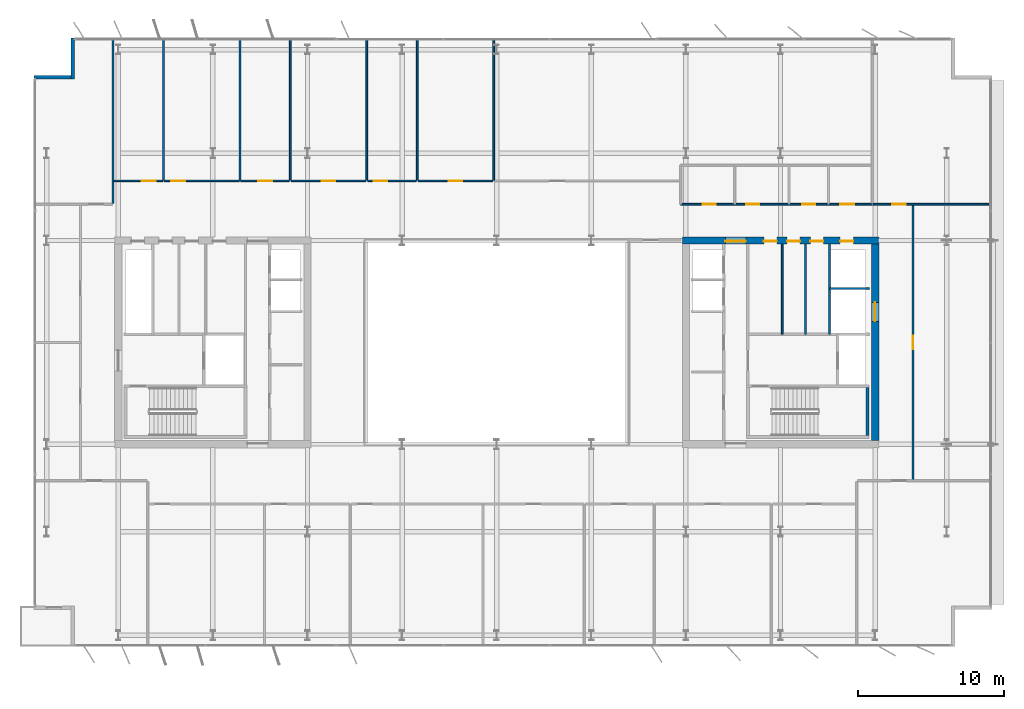
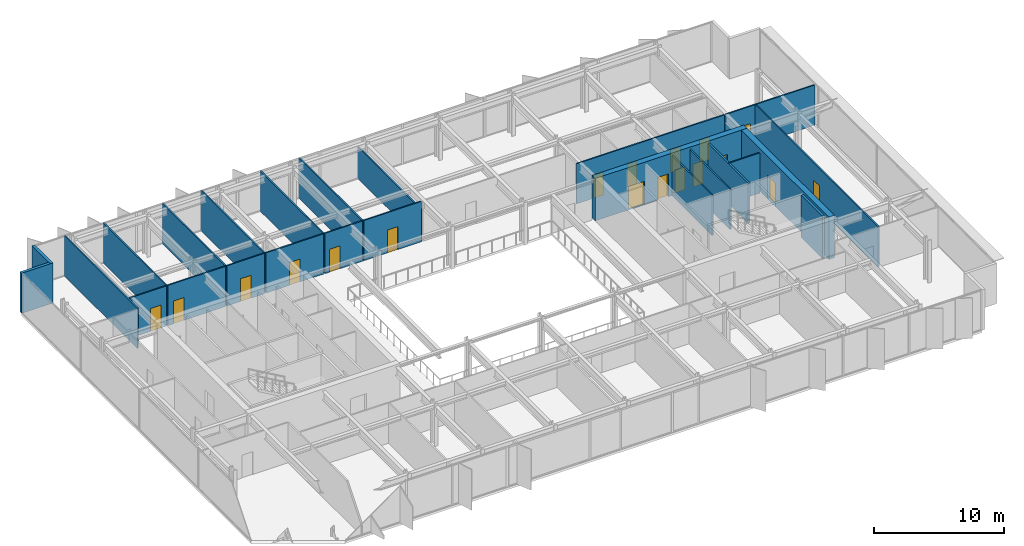
# One storey, part 15 of 20: 25 walls, 18 doors, 18 openings.
"""IFC4 building model written with IfcOpenShell, lengths in metres."""

from ifc_helpers import new_model, si_unit, direction, frame, frame_2d, origin, place, context, subcontext, project, spatial, rectangle, extrude, material, layer, layer_set, type_object, element, fill, save


model = new_model("IFC4")

# Units and contexts
model_context = context("Model", 3, precision=1e-05, world=origin(), true_north=direction((0.0, 1.0)))
body_context = subcontext(model_context, "Body", "Model", "MODEL_VIEW")
ifc_project = project(units=[si_unit("LENGTHUNIT", "METRE"), si_unit("AREAUNIT", "SQUARE_METRE"), si_unit("VOLUMEUNIT", "CUBIC_METRE"), si_unit("PLANEANGLEUNIT", "RADIAN"), si_unit("MASSUNIT", "GRAM", prefix="KILO")], contexts=[model_context])

# Site, building, storey
site_placement = place(None, origin())
site = spatial("IfcSite", under=ifc_project, at=site_placement, CompositionType="ELEMENT")
building_placement = place(site_placement, origin())
building = spatial("IfcBuilding", under=site, at=building_placement, Name="Putna Gate Headquarters", CompositionType="ELEMENT")
storey_placement = place(building_placement, frame((0.0, 0.0, 286.39990234375)))
storey = spatial("IfcBuildingStorey", under=building, at=storey_placement, Name="L72", CompositionType="ELEMENT", Elevation=286.39990234375)

# Wall, openings, doors
ifc_material_1 = material(Name="Concrete C50/60", Category="concrete")
ifc_layer_1 = layer(ifc_material_1, 0.5)
ifc_layer_set_1 = layer_set([ifc_layer_1], Name="Concrete C50/60")
wall_type_1 = type_object("IfcWallType", Name="WALL-CORE-500", PredefinedType="SHEAR", material=ifc_layer_set_1)
wall_1_placement = place(storey_placement, frame((51.75, 33.0, 0.0), z_axis=(0.0, 0.0, 1.0), x_axis=(1.0, 0.0, 0.0)))
wall_1 = element("IfcWall", 1, at=wall_1_placement, inside=storey, type_object=wall_type_1, Name="L72 EC Split Core Shear Wall N", PredefinedType="SHEAR", context=body_context, shape_type="SweptSolid", body=[
    extrude(rectangle(XDim=13.5, YDim=0.5, at=frame_2d((6.75, 0.0))), origin(), (0.0, 0.0, 1.0), 4.0),
])
opening_1_placement = place(wall_1_placement, frame((2.969970703125, 0.0, 0.0)))
opening_1 = element("IfcOpeningElement", 2, at=opening_1_placement, cuts=wall_1, Name="Opening FDD-140", PredefinedType="OPENING", context=body_context, shape_type="SweptSolid", body=[
    extrude(rectangle(XDim=1.39990234375, YDim=2.199951171875, at=frame_2d((0.699951171875, 1.10009765625))), frame((0.0, 0.260009765625, 0.0), z_axis=(0.0, -1.0, 0.0), x_axis=(1.0, 0.0, 0.0)), (0.0, 0.0, 1.0), 0.52001953125),
])
opening_2_placement = place(wall_1_placement, frame((10.85009765625, 0.0, 0.0)))
opening_2 = element("IfcOpeningElement", 3, at=opening_2_placement, cuts=wall_1, Name="Opening RD-90", PredefinedType="OPENING", context=body_context, shape_type="SweptSolid", body=[
    extrude(rectangle(XDim=0.89990234375, YDim=2.14990234375, at=frame_2d((0.449951171875, 1.074951171875))), frame((0.0, 0.260009765625, 0.0), z_axis=(0.0, -1.0, 0.0), x_axis=(1.0, 0.0, 0.0)), (0.0, 0.0, 1.0), 0.52001953125),
])
opening_3_placement = place(wall_1_placement, frame((5.60009765625, 0.0, 0.0)))
opening_3 = element("IfcOpeningElement", 4, at=opening_3_placement, cuts=wall_1, Name="Opening IDS-90", PredefinedType="OPENING", context=body_context, shape_type="SweptSolid", body=[
    extrude(rectangle(XDim=0.89990234375, YDim=2.14990234375, at=frame_2d((0.449951171875, 1.074951171875))), frame((0.0, 0.260009765625, 0.0), z_axis=(0.0, -1.0, 0.0), x_axis=(1.0, 0.0, 0.0)), (0.0, 0.0, 1.0), 0.52001953125),
])
opening_4_placement = place(wall_1_placement, frame((7.199951171875, 0.0, 0.0)))
opening_4 = element("IfcOpeningElement", 5, at=opening_4_placement, cuts=wall_1, Name="Opening IDS-90", PredefinedType="OPENING", context=body_context, shape_type="SweptSolid", body=[
    extrude(rectangle(XDim=0.89990234375, YDim=2.14990234375, at=frame_2d((0.449951171875, 1.074951171875))), frame((0.0, 0.260009765625, 0.0), z_axis=(0.0, -1.0, 0.0), x_axis=(1.0, 0.0, 0.0)), (0.0, 0.0, 1.0), 0.52001953125),
])
opening_5_placement = place(wall_1_placement, frame((8.800048828125, 0.0, 0.0)))
opening_5 = element("IfcOpeningElement", 6, at=opening_5_placement, cuts=wall_1, Name="Opening IDS-90", PredefinedType="OPENING", context=body_context, shape_type="SweptSolid", body=[
    extrude(rectangle(XDim=0.89990234375, YDim=2.14990234375, at=frame_2d((0.449951171875, 1.074951171875))), frame((0.0, 0.260009765625, 0.0), z_axis=(0.0, -1.0, 0.0), x_axis=(1.0, 0.0, 0.0)), (0.0, 0.0, 1.0), 0.52001953125),
])
ifc_material_2 = material(Name="Double steel fire door", Category="steel")
door_type_1 = type_object("IfcDoorType", Name="DOOR-FIRE-DBL-1400", OperationType="DOUBLE_DOOR_SINGLE_SWING", PredefinedType="DOOR", material=ifc_material_2)
door_1_placement = place(opening_1_placement, origin())
door_1 = element("IfcDoor", 7, at=door_1_placement, inside=storey, type_object=door_type_1, Name="L72 East Lift Lobby North Door", OperationType="DOUBLE_DOOR_SINGLE_SWING", OverallHeight=2.199951171875, OverallWidth=1.39990234375, PredefinedType="DOOR", context=body_context, shape_type="SweptSolid", body=[
    extrude(rectangle(XDim=1.39990234375, YDim=2.199951171875, at=frame_2d((0.699951171875, 1.10009765625))), frame((0.0, -0.02490234375, 0.0), z_axis=(0.0, -1.0, 0.0), x_axis=(1.0, 0.0, 0.0)), (0.0, 0.0, 1.0), 0.050048828125),
])
fill(opening_1, door_1)
ifc_material_3 = material(Name="Fire-rated utility door")
door_type_2 = type_object("IfcDoorType", Name="DOOR-INT-900", OperationType="NOTDEFINED", PredefinedType="DOOR", material=ifc_material_3)
door_2_placement = place(opening_3_placement, origin())
door_2 = element("IfcDoor", 8, at=door_2_placement, inside=storey, type_object=door_type_2, Name="L72 East Cleaner Store Door", OperationType="SINGLE_SWING_RIGHT", OverallHeight=2.14990234375, OverallWidth=0.89990234375, PredefinedType="DOOR", context=body_context, shape_type="SweptSolid", body=[
    extrude(rectangle(XDim=0.89990234375, YDim=2.14990234375, at=frame_2d((0.449951171875, 1.074951171875))), frame((0.0, -0.02490234375, 0.0), z_axis=(0.0, -1.0, 0.0), x_axis=(1.0, 0.0, 0.0)), (0.0, 0.0, 1.0), 0.050048828125),
])
fill(opening_3, door_2)
door_3_placement = place(opening_4_placement, origin())
door_3 = element("IfcDoor", 9, at=door_3_placement, inside=storey, type_object=door_type_2, Name="L72 BMS Outstation Door", OperationType="SINGLE_SWING_LEFT", OverallHeight=2.14990234375, OverallWidth=0.89990234375, PredefinedType="DOOR", context=body_context, shape_type="SweptSolid", body=[
    extrude(rectangle(XDim=0.89990234375, YDim=2.14990234375, at=frame_2d((0.449951171875, 1.074951171875))), frame((0.0, -0.02490234375, 0.0), z_axis=(0.0, -1.0, 0.0), x_axis=(1.0, 0.0, 0.0)), (0.0, 0.0, 1.0), 0.050048828125),
])
fill(opening_4, door_3)
door_4_placement = place(opening_5_placement, origin())
door_4 = element("IfcDoor", 10, at=door_4_placement, inside=storey, type_object=door_type_2, Name="L72 Facilities Equipment Store Door", OperationType="SINGLE_SWING_RIGHT", OverallHeight=2.14990234375, OverallWidth=0.89990234375, PredefinedType="DOOR", context=body_context, shape_type="SweptSolid", body=[
    extrude(rectangle(XDim=0.89990234375, YDim=2.14990234375, at=frame_2d((0.449951171875, 1.074951171875))), frame((0.0, -0.02490234375, 0.0), z_axis=(0.0, -1.0, 0.0), x_axis=(1.0, 0.0, 0.0)), (0.0, 0.0, 1.0), 0.050048828125),
])
fill(opening_5, door_4)
ifc_material_4 = material(Name="Steel riser access fire door", Category="steel")
door_type_3 = type_object("IfcDoorType", Name="DOOR-RISER-900", OperationType="NOTDEFINED", PredefinedType="DOOR", material=ifc_material_4)
door_5_placement = place(opening_2_placement, origin())
door_5 = element("IfcDoor", 11, at=door_5_placement, inside=storey, type_object=door_type_3, Name="L72 East Riser Access Door", OperationType="SINGLE_SWING_LEFT", OverallHeight=2.14990234375, OverallWidth=0.89990234375, PredefinedType="DOOR", context=body_context, shape_type="SweptSolid", body=[
    extrude(rectangle(XDim=0.89990234375, YDim=2.14990234375, at=frame_2d((0.449951171875, 1.074951171875))), frame((0.0, -0.02490234375, 0.0), z_axis=(0.0, -1.0, 0.0), x_axis=(1.0, 0.0, 0.0)), (0.0, 0.0, 1.0), 0.050048828125),
])
fill(opening_2, door_5)

# Wall, opening, door
wall_2_placement = place(storey_placement, frame((65.0, 19.25, 0.0), z_axis=(0.0, 0.0, 1.0), x_axis=(0.0, 1.0, 0.0)))
wall_2 = element("IfcWall", 12, at=wall_2_placement, inside=storey, type_object=wall_type_1, Name="L72 EC Split Core Shear Wall E", PredefinedType="SHEAR", context=body_context, shape_type="SweptSolid", body=[
    extrude(rectangle(XDim=13.5, YDim=0.5, at=frame_2d((6.75, 0.0))), origin(), (0.0, 0.0, 1.0), 4.0),
])
opening_6_placement = place(wall_2_placement, frame((8.199951171875, 0.0, 0.0)))
opening_6 = element("IfcOpeningElement", 13, at=opening_6_placement, cuts=wall_2, Name="Opening LD-2", PredefinedType="OPENING", context=body_context, shape_type="SweptSolid", body=[
    extrude(rectangle(XDim=1.300048828125, YDim=2.199951171875, at=frame_2d((0.64990234375, 1.10009765625))), frame((0.0, 0.260009765625, 0.0), z_axis=(0.0, -1.0, 0.0), x_axis=(1.0, 0.0, 0.0)), (0.0, 0.0, 1.0), 0.52001953125),
])
ifc_material_5 = material(Name="Heavy-duty goods lift sliding landing door")
door_type_4 = type_object("IfcDoorType", Name="DOOR-LIFT-1300", OperationType="DOUBLE_DOOR_SLIDING", PredefinedType="DOOR", material=ifc_material_5)
door_6_placement = place(opening_6_placement, origin())
door_6 = element("IfcDoor", 14, at=door_6_placement, inside=storey, type_object=door_type_4, Name="L72 Goods Lift Landing Door LD-15", OperationType="DOUBLE_DOOR_SLIDING", OverallHeight=2.199951171875, OverallWidth=1.300048828125, PredefinedType="DOOR", context=body_context, shape_type="SweptSolid", body=[
    extrude(rectangle(XDim=1.300048828125, YDim=2.199951171875, at=frame_2d((0.64990234375, 1.10009765625))), frame((0.0, 0.02490234375, 0.0), z_axis=(0.0, -1.0, 0.0), x_axis=(1.0, 0.0, 0.0)), (0.0, 0.0, 1.0), 0.050048828125),
])
fill(opening_6, door_6)

# Walls
ifc_material_6 = material(Name="Precast concrete C40/50", Category="concrete")
ifc_layer_2 = layer(ifc_material_6, 0.239990234375)
ifc_layer_set_2 = layer_set([ifc_layer_2], Name="Precast concrete C40/50")
wall_type_2 = type_object("IfcWallType", Name="WALL-EXT-TERR-240", PredefinedType="STANDARD", material=ifc_layer_set_2)
wall_3_placement = place(storey_placement, frame((9.8798828125, 44.10009765625, 0.0), z_axis=(0.0, 0.0, 1.0), x_axis=(0.0, 1.0, 0.0)))
element("IfcWall", 15, at=wall_3_placement, inside=storey, type_object=wall_type_2, Name="L72 Corner Notch Return Wall NW-V", PredefinedType="STANDARD", context=body_context, shape_type="SweptSolid", body=[
    extrude(rectangle(XDim=2.7998046875, YDim=0.239990234375, at=frame_2d((1.39990234375, 0.0))), origin(), (0.0, 0.0, 1.0), 3.7880859375),
])
wall_4_placement = place(storey_placement, frame((7.199951171875, 44.219970703125, 0.0), z_axis=(0.0, 0.0, 1.0), x_axis=(1.0, 0.0, 0.0)))
element("IfcWall", 16, at=wall_4_placement, inside=storey, type_object=wall_type_2, Name="L72 Corner Notch Return Wall NW-H", PredefinedType="STANDARD", context=body_context, shape_type="SweptSolid", body=[
    extrude(rectangle(XDim=2.800048828125, YDim=0.239990234375, at=frame_2d((1.39990234375, 0.0))), origin(), (0.0, 0.0, 1.0), 3.7880859375),
])
ifc_material_7 = material(Name="Acoustic gypsum board on metal stud")
ifc_layer_3 = layer(ifc_material_7, 0.1201171875)
ifc_layer_set_3 = layer_set([ifc_layer_3], Name="Acoustic gypsum board on metal stud")
wall_type_3 = type_object("IfcWallType", Name="WALL-PART-120", PredefinedType="PARTITIONING", material=ifc_layer_set_3)
wall_5_placement = place(storey_placement, frame((12.637939453125, 35.56005859375, 0.0), z_axis=(0.0, 0.0, 1.0), x_axis=(0.0, 1.0, 0.0)))
element("IfcWall", 17, at=wall_5_placement, inside=storey, type_object=wall_type_3, Name="L72 Interior Wall PART-L72-NB-DIV-01", PredefinedType="PARTITIONING", context=body_context, shape_type="SweptSolid", body=[
    extrude(rectangle(XDim=11.31982421875, YDim=0.1201171875, at=frame_2d((5.659912109375, 0.0))), origin(), (0.0, 0.0, 1.0), 3.7880859375),
])
for number, where, z_axis, x_axis, name in (
    (18, (16.1005859375, 37.159912109375, 0.0), (0.0, 0.0, 1.0), (0.0, 1.0, 0.0), "L72 Interior Wall PART-L72-NB-DIV-02"),
    (19, (21.358642578125, 37.159912109375, 0.0), (0.0, 0.0, 1.0), (0.0, 1.0, 0.0), "L72 Interior Wall PART-L72-NB-DIV-03"),
    (20, (24.8212890625, 37.159912109375, 0.0), (0.0, 0.0, 1.0), (0.0, 1.0, 0.0), "L72 Interior Wall PART-L72-NB-DIV-04"),
    (21, (30.079345703125, 37.159912109375, 0.0), (0.0, 0.0, 1.0), (0.0, 1.0, 0.0), "L72 Interior Wall PART-L72-NB-DIV-05"),
    (22, (33.5419921875, 37.159912109375, 0.0), (0.0, 0.0, 1.0), (0.0, 1.0, 0.0), "L72 Interior Wall PART-L72-NB-DIV-06"),
):
    element("IfcWall", number, at=place(storey_placement, frame(where, z_axis=z_axis, x_axis=x_axis)), inside=storey, type_object=wall_type_3, Name=name, PredefinedType="PARTITIONING", context=body_context, shape_type="SweptSolid", body=[
        extrude(rectangle(XDim=9.719970703125, YDim=0.1201171875, at=frame_2d((4.85986328125, 0.0))), origin(), (0.0, 0.0, 1.0), 3.7880859375),
    ])
wall_6_placement = place(storey_placement, frame((38.800048828125, 37.159912109375, 0.0), z_axis=(0.0, 0.0, 1.0), x_axis=(0.0, 1.0, 0.0)))
element("IfcWall", 23, at=wall_6_placement, inside=storey, type_object=wall_type_3, Name="L72 Interior Wall PART-L72-NB-DIV-07", PredefinedType="PARTITIONING", context=body_context, shape_type="SweptSolid", body=[
    extrude(rectangle(XDim=9.719970703125, YDim=0.1201171875, at=frame_2d((4.85986328125, 0.0))), origin(), (0.0, 0.0, 1.0), 2.988037109375),
])
ifc_material_8 = material(Name="Fire-rated shaftwall gypsum board on metal stud")
ifc_layer_4 = layer(ifc_material_8, 0.1201171875)
ifc_layer_set_4 = layer_set([ifc_layer_4], Name="Fire-rated shaftwall gypsum board on metal stud")
wall_type_4 = type_object("IfcWallType", Name="WALL-PART-120-EI120", PredefinedType="PARTITIONING", material=ifc_layer_set_4)
wall_7_placement = place(storey_placement, frame((61.8701171875, 29.699951171875, 0.0), z_axis=(0.0, 0.0, 1.0), x_axis=(1.0, 0.0, 0.0)))
element("IfcWall", 24, at=wall_7_placement, inside=storey, type_object=wall_type_4, Name="L72 Interior Wall CWINT-L72-EC-LF15-N", PredefinedType="PARTITIONING", context=body_context, shape_type="SweptSolid", body=[
    extrude(rectangle(XDim=2.72998046875, YDim=0.1201171875, at=frame_2d((1.364990234375, 0.0))), origin(), (0.0, 0.0, 1.0), 3.7880859375),
])
ifc_material_9 = material(Name="Fire-rated gypsum board on metal stud")
ifc_layer_5 = layer(ifc_material_9, 0.1201171875)
ifc_layer_set_5 = layer_set([ifc_layer_5], Name="Fire-rated gypsum board on metal stud")
wall_type_5 = type_object("IfcWallType", Name="WALL-PART-120-RATED", PredefinedType="PARTITIONING", material=ifc_layer_set_5)
for number, where, z_axis, x_axis, name in (
    (25, (58.6201171875, 26.56005859375, 0.0), (0.0, 0.0, 1.0), (0.0, 1.0, 0.0), "L72 Interior Wall CWINT-L72-EC-K2-D1"),
    (26, (60.219970703125, 26.56005859375, 0.0), (0.0, 0.0, 1.0), (0.0, 1.0, 0.0), "L72 Interior Wall CWINT-L72-EC-K2-D2"),
):
    element("IfcWall", number, at=place(storey_placement, frame(where, z_axis=z_axis, x_axis=x_axis)), inside=storey, type_object=wall_type_5, Name=name, PredefinedType="PARTITIONING", context=body_context, shape_type="SweptSolid", body=[
        extrude(rectangle(XDim=6.18994140625, YDim=0.1201171875, at=frame_2d((3.094970703125, 0.0))), origin(), (0.0, 0.0, 1.0), 3.7880859375),
    ])

# Wall, openings, doors
wall_8_placement = place(storey_placement, frame((51.639892578125, 35.5, 0.0), z_axis=(0.0, 0.0, 1.0), x_axis=(1.0, 0.0, 0.0)))
wall_8 = element("IfcWall", 27, at=wall_8_placement, inside=storey, type_object=wall_type_5, Name="L72 Interior Wall PART-L72-SAN-CW", PredefinedType="PARTITIONING", context=body_context, shape_type="SweptSolid", body=[
    extrude(rectangle(XDim=13.16015625, YDim=0.1201171875, at=frame_2d((6.580078125, 0.0))), origin(), (0.0, 0.0, 1.0), 3.7880859375),
])
opening_7_placement = place(wall_8_placement, frame((1.510009765625, 0.0, 0.0)))
opening_7 = element("IfcOpeningElement", 28, at=opening_7_placement, cuts=wall_8, Name="Opening FD-90", PredefinedType="OPENING", context=body_context, shape_type="SweptSolid", body=[
    extrude(rectangle(XDim=0.89990234375, YDim=2.14990234375, at=frame_2d((0.449951171875, 1.074951171875))), frame((0.0, 0.070068359375, 0.0), z_axis=(0.0, -1.0, 0.0), x_axis=(1.0, 0.0, 0.0)), (0.0, 0.0, 1.0), 0.14013671875),
])
opening_8_placement = place(wall_8_placement, frame((4.510009765625, 0.0, 0.0)))
opening_8 = element("IfcOpeningElement", 29, at=opening_8_placement, cuts=wall_8, Name="Opening FD-90", PredefinedType="OPENING", context=body_context, shape_type="SweptSolid", body=[
    extrude(rectangle(XDim=0.89990234375, YDim=2.14990234375, at=frame_2d((0.449951171875, 1.074951171875))), frame((0.0, 0.070068359375, 0.0), z_axis=(0.0, -1.0, 0.0), x_axis=(1.0, 0.0, 0.0)), (0.0, 0.0, 1.0), 0.14013671875),
])
opening_9_placement = place(wall_8_placement, frame((8.360107421875, 0.0, 0.0)))
opening_9 = element("IfcOpeningElement", 30, at=opening_9_placement, cuts=wall_8, Name="Opening FD-90", PredefinedType="OPENING", context=body_context, shape_type="SweptSolid", body=[
    extrude(rectangle(XDim=0.89990234375, YDim=2.14990234375, at=frame_2d((0.449951171875, 1.074951171875))), frame((0.0, 0.070068359375, 0.0), z_axis=(0.0, -1.0, 0.0), x_axis=(1.0, 0.0, 0.0)), (0.0, 0.0, 1.0), 0.14013671875),
])
opening_10_placement = place(wall_8_placement, frame((10.9599609375, 0.0, 0.0)))
opening_10 = element("IfcOpeningElement", 31, at=opening_10_placement, cuts=wall_8, Name="Opening FD-95", PredefinedType="OPENING", context=body_context, shape_type="SweptSolid", body=[
    extrude(rectangle(XDim=0.949951171875, YDim=2.14990234375, at=frame_2d((0.47509765625, 1.074951171875))), frame((0.0, 0.070068359375, 0.0), z_axis=(0.0, -1.0, 0.0), x_axis=(1.0, 0.0, 0.0)), (0.0, 0.0, 1.0), 0.14013671875),
])
ifc_material_10 = material(Name="Acoustic washroom fire door")
door_type_5 = type_object("IfcDoorType", Name="DOOR-FIRE-900", OperationType="NOTDEFINED", PredefinedType="DOOR", material=ifc_material_10)
door_7_placement = place(opening_7_placement, origin())
door_7 = element("IfcDoor", 32, at=door_7_placement, inside=storey, type_object=door_type_5, Name="L72 Washroom Male Door", OperationType="SINGLE_SWING_RIGHT", OverallHeight=2.14990234375, OverallWidth=0.89990234375, PredefinedType="DOOR", context=body_context, shape_type="SweptSolid", body=[
    extrude(rectangle(XDim=0.89990234375, YDim=2.14990234375, at=frame_2d((0.449951171875, 1.074951171875))), frame((0.0, 0.02490234375, 0.0), z_axis=(0.0, -1.0, 0.0), x_axis=(1.0, 0.0, 0.0)), (0.0, 0.0, 1.0), 0.050048828125),
])
fill(opening_7, door_7)
door_8_placement = place(opening_8_placement, origin())
door_8 = element("IfcDoor", 33, at=door_8_placement, inside=storey, type_object=door_type_5, Name="L72 Washroom Female Door", OperationType="SINGLE_SWING_LEFT", OverallHeight=2.14990234375, OverallWidth=0.89990234375, PredefinedType="DOOR", context=body_context, shape_type="SweptSolid", body=[
    extrude(rectangle(XDim=0.89990234375, YDim=2.14990234375, at=frame_2d((0.449951171875, 1.074951171875))), frame((0.0, 0.02490234375, 0.0), z_axis=(0.0, -1.0, 0.0), x_axis=(1.0, 0.0, 0.0)), (0.0, 0.0, 1.0), 0.050048828125),
])
fill(opening_8, door_8)
door_9_placement = place(opening_9_placement, origin())
door_9 = element("IfcDoor", 34, at=door_9_placement, inside=storey, type_object=door_type_5, Name="L72 Accessible WC Door", OperationType="SINGLE_SWING_RIGHT", OverallHeight=2.14990234375, OverallWidth=0.89990234375, PredefinedType="DOOR", context=body_context, shape_type="SweptSolid", body=[
    extrude(rectangle(XDim=0.89990234375, YDim=2.14990234375, at=frame_2d((0.449951171875, 1.074951171875))), frame((0.0, 0.02490234375, 0.0), z_axis=(0.0, -1.0, 0.0), x_axis=(1.0, 0.0, 0.0)), (0.0, 0.0, 1.0), 0.050048828125),
])
fill(opening_9, door_9)
ifc_material_11 = material(Name="Acoustic timber fire door", Category="wood")
door_type_6 = type_object("IfcDoorType", Name="DOOR-FIRE-950", OperationType="NOTDEFINED", PredefinedType="DOOR", material=ifc_material_11)
door_10_placement = place(opening_10_placement, origin())
door_10 = element("IfcDoor", 35, at=door_10_placement, inside=storey, type_object=door_type_6, Name="L72 Staff Pantry and Tea Point Door", OperationType="SINGLE_SWING_LEFT", OverallHeight=2.14990234375, OverallWidth=0.949951171875, PredefinedType="DOOR", context=body_context, shape_type="SweptSolid", body=[
    extrude(rectangle(XDim=0.949951171875, YDim=2.14990234375, at=frame_2d((0.47509765625, 1.074951171875))), frame((0.0, 0.02490234375, 0.0), z_axis=(0.0, -1.0, 0.0), x_axis=(1.0, 0.0, 0.0)), (0.0, 0.0, 1.0), 0.050048828125),
])
fill(opening_10, door_10)

# Wall, opening, door
wall_9_placement = place(storey_placement, frame((12.697998046875, 37.10009765625, 0.0), z_axis=(0.0, 0.0, 1.0), x_axis=(1.0, 0.0, 0.0)))
wall_9 = element("IfcWall", 36, at=wall_9_placement, inside=storey, type_object=wall_type_5, Name="L72 Interior Wall PART-L72-NB-CW-02", PredefinedType="PARTITIONING", context=body_context, shape_type="SweptSolid", body=[
    extrude(rectangle(XDim=3.3427734375, YDim=0.1201171875, at=frame_2d((1.67138671875, 0.0))), origin(), (0.0, 0.0, 1.0), 3.7880859375),
])
opening_11_placement = place(wall_9_placement, frame((1.91259765625, 0.0, 0.0)))
opening_11 = element("IfcOpeningElement", 37, at=opening_11_placement, cuts=wall_9, Name="Opening FD-95", PredefinedType="OPENING", context=body_context, shape_type="SweptSolid", body=[
    extrude(rectangle(XDim=0.949951171875, YDim=2.14990234375, at=frame_2d((0.47509765625, 1.074951171875))), frame((0.0, 0.070068359375, 0.0), z_axis=(0.0, -1.0, 0.0), x_axis=(1.0, 0.0, 0.0)), (0.0, 0.0, 1.0), 0.14013671875),
])
door_11_placement = place(opening_11_placement, origin())
door_11 = element("IfcDoor", 38, at=door_11_placement, inside=storey, type_object=door_type_6, Name="L72 Cellular Office 3 Door", OperationType="SINGLE_SWING_LEFT", OverallHeight=2.14990234375, OverallWidth=0.949951171875, PredefinedType="DOOR", context=body_context, shape_type="SweptSolid", body=[
    extrude(rectangle(XDim=0.949951171875, YDim=2.14990234375, at=frame_2d((0.47509765625, 1.074951171875))), frame((0.0, 0.02490234375, 0.0), z_axis=(0.0, -1.0, 0.0), x_axis=(1.0, 0.0, 0.0)), (0.0, 0.0, 1.0), 0.050048828125),
])
fill(opening_11, door_11)

wall_10_placement = place(storey_placement, frame((16.16064453125, 37.10009765625, 0.0), z_axis=(0.0, 0.0, 1.0), x_axis=(1.0, 0.0, 0.0)))
wall_10 = element("IfcWall", 39, at=wall_10_placement, inside=storey, type_object=wall_type_5, Name="L72 Interior Wall PART-L72-NB-CW-03", PredefinedType="PARTITIONING", context=body_context, shape_type="SweptSolid", body=[
    extrude(rectangle(XDim=5.137939453125, YDim=0.1201171875, at=frame_2d((2.56884765625, 0.0))), origin(), (0.0, 0.0, 1.0), 3.7880859375),
])
opening_12_placement = place(wall_10_placement, frame((0.47998046875, 0.0, 0.0)))
opening_12 = element("IfcOpeningElement", 40, at=opening_12_placement, cuts=wall_10, Name="Opening FD-95", PredefinedType="OPENING", context=body_context, shape_type="SweptSolid", body=[
    extrude(rectangle(XDim=0.949951171875, YDim=2.14990234375, at=frame_2d((0.47509765625, 1.074951171875))), frame((0.0, 0.070068359375, 0.0), z_axis=(0.0, -1.0, 0.0), x_axis=(1.0, 0.0, 0.0)), (0.0, 0.0, 1.0), 0.14013671875),
])
door_12_placement = place(opening_12_placement, origin())
door_12 = element("IfcDoor", 41, at=door_12_placement, inside=storey, type_object=door_type_6, Name="L72 Cellular Office 4 Door", OperationType="SINGLE_SWING_RIGHT", OverallHeight=2.14990234375, OverallWidth=0.949951171875, PredefinedType="DOOR", context=body_context, shape_type="SweptSolid", body=[
    extrude(rectangle(XDim=0.949951171875, YDim=2.14990234375, at=frame_2d((0.47509765625, 1.074951171875))), frame((0.0, 0.02490234375, 0.0), z_axis=(0.0, -1.0, 0.0), x_axis=(1.0, 0.0, 0.0)), (0.0, 0.0, 1.0), 0.050048828125),
])
fill(opening_12, door_12)

wall_11_placement = place(storey_placement, frame((21.418701171875, 37.10009765625, 0.0), z_axis=(0.0, 0.0, 1.0), x_axis=(1.0, 0.0, 0.0)))
wall_11 = element("IfcWall", 42, at=wall_11_placement, inside=storey, type_object=wall_type_5, Name="L72 Interior Wall PART-L72-NB-CW-04", PredefinedType="PARTITIONING", context=body_context, shape_type="SweptSolid", body=[
    extrude(rectangle(XDim=3.342529296875, YDim=0.1201171875, at=frame_2d((1.67138671875, 0.0))), origin(), (0.0, 0.0, 1.0), 3.7880859375),
])
opening_13_placement = place(wall_11_placement, frame((1.1962890625, 0.0, 0.0)))
opening_13 = element("IfcOpeningElement", 43, at=opening_13_placement, cuts=wall_11, Name="Opening FD-95", PredefinedType="OPENING", context=body_context, shape_type="SweptSolid", body=[
    extrude(rectangle(XDim=0.949951171875, YDim=2.14990234375, at=frame_2d((0.47509765625, 1.074951171875))), frame((0.0, 0.070068359375, 0.0), z_axis=(0.0, -1.0, 0.0), x_axis=(1.0, 0.0, 0.0)), (0.0, 0.0, 1.0), 0.14013671875),
])
door_13_placement = place(opening_13_placement, origin())
door_13 = element("IfcDoor", 44, at=door_13_placement, inside=storey, type_object=door_type_6, Name="L72 Cellular Office 5 Door", OperationType="SINGLE_SWING_LEFT", OverallHeight=2.14990234375, OverallWidth=0.949951171875, PredefinedType="DOOR", context=body_context, shape_type="SweptSolid", body=[
    extrude(rectangle(XDim=0.949951171875, YDim=2.14990234375, at=frame_2d((0.47509765625, 1.074951171875))), frame((0.0, 0.02490234375, 0.0), z_axis=(0.0, -1.0, 0.0), x_axis=(1.0, 0.0, 0.0)), (0.0, 0.0, 1.0), 0.050048828125),
])
fill(opening_13, door_13)

wall_12_placement = place(storey_placement, frame((24.88134765625, 37.10009765625, 0.0), z_axis=(0.0, 0.0, 1.0), x_axis=(1.0, 0.0, 0.0)))
wall_12 = element("IfcWall", 45, at=wall_12_placement, inside=storey, type_object=wall_type_5, Name="L72 Interior Wall PART-L72-NB-CW-05", PredefinedType="PARTITIONING", context=body_context, shape_type="SweptSolid", body=[
    extrude(rectangle(XDim=5.137939453125, YDim=0.1201171875, at=frame_2d((2.56884765625, 0.0))), origin(), (0.0, 0.0, 1.0), 3.7880859375),
])
opening_14_placement = place(wall_12_placement, frame((2.093994140625, 0.0, 0.0)))
opening_14 = element("IfcOpeningElement", 46, at=opening_14_placement, cuts=wall_12, Name="Opening FD-95", PredefinedType="OPENING", context=body_context, shape_type="SweptSolid", body=[
    extrude(rectangle(XDim=0.949951171875, YDim=2.14990234375, at=frame_2d((0.47509765625, 1.074951171875))), frame((0.0, 0.070068359375, 0.0), z_axis=(0.0, -1.0, 0.0), x_axis=(1.0, 0.0, 0.0)), (0.0, 0.0, 1.0), 0.14013671875),
])
door_14_placement = place(opening_14_placement, origin())
door_14 = element("IfcDoor", 47, at=door_14_placement, inside=storey, type_object=door_type_6, Name="L72 Cellular Office 6 Door", OperationType="SINGLE_SWING_RIGHT", OverallHeight=2.14990234375, OverallWidth=0.949951171875, PredefinedType="DOOR", context=body_context, shape_type="SweptSolid", body=[
    extrude(rectangle(XDim=0.949951171875, YDim=2.14990234375, at=frame_2d((0.47509765625, 1.074951171875))), frame((0.0, 0.02490234375, 0.0), z_axis=(0.0, -1.0, 0.0), x_axis=(1.0, 0.0, 0.0)), (0.0, 0.0, 1.0), 0.050048828125),
])
fill(opening_14, door_14)

wall_13_placement = place(storey_placement, frame((30.139404296875, 37.10009765625, 0.0), z_axis=(0.0, 0.0, 1.0), x_axis=(1.0, 0.0, 0.0)))
wall_13 = element("IfcWall", 48, at=wall_13_placement, inside=storey, type_object=wall_type_5, Name="L72 Interior Wall PART-L72-NB-CW-06", PredefinedType="PARTITIONING", context=body_context, shape_type="SweptSolid", body=[
    extrude(rectangle(XDim=3.342529296875, YDim=0.1201171875, at=frame_2d((1.67138671875, 0.0))), origin(), (0.0, 0.0, 1.0), 3.7880859375),
])
opening_15_placement = place(wall_13_placement, frame((0.3994140625, 0.0, 0.0)))
opening_15 = element("IfcOpeningElement", 49, at=opening_15_placement, cuts=wall_13, Name="Opening FD-95", PredefinedType="OPENING", context=body_context, shape_type="SweptSolid", body=[
    extrude(rectangle(XDim=0.949951171875, YDim=2.14990234375, at=frame_2d((0.47509765625, 1.074951171875))), frame((0.0, 0.070068359375, 0.0), z_axis=(0.0, -1.0, 0.0), x_axis=(1.0, 0.0, 0.0)), (0.0, 0.0, 1.0), 0.14013671875),
])
door_15_placement = place(opening_15_placement, origin())
door_15 = element("IfcDoor", 50, at=door_15_placement, inside=storey, type_object=door_type_6, Name="L72 Cellular Office 7 Door", OperationType="SINGLE_SWING_LEFT", OverallHeight=2.14990234375, OverallWidth=0.949951171875, PredefinedType="DOOR", context=body_context, shape_type="SweptSolid", body=[
    extrude(rectangle(XDim=0.949951171875, YDim=2.14990234375, at=frame_2d((0.47509765625, 1.074951171875))), frame((0.0, 0.02490234375, 0.0), z_axis=(0.0, -1.0, 0.0), x_axis=(1.0, 0.0, 0.0)), (0.0, 0.0, 1.0), 0.050048828125),
])
fill(opening_15, door_15)

wall_14_placement = place(storey_placement, frame((33.60205078125, 37.10009765625, 0.0), z_axis=(0.0, 0.0, 1.0), x_axis=(1.0, 0.0, 0.0)))
wall_14 = element("IfcWall", 51, at=wall_14_placement, inside=storey, type_object=wall_type_5, Name="L72 Interior Wall PART-L72-NB-CW-07", PredefinedType="PARTITIONING", context=body_context, shape_type="SweptSolid", body=[
    extrude(rectangle(XDim=5.137939453125, YDim=0.1201171875, at=frame_2d((2.56884765625, 0.0))), origin(), (0.0, 0.0, 1.0), 3.7880859375),
])
opening_16_placement = place(wall_14_placement, frame((2.093994140625, 0.0, 0.0)))
opening_16 = element("IfcOpeningElement", 52, at=opening_16_placement, cuts=wall_14, Name="Opening FD-95", PredefinedType="OPENING", context=body_context, shape_type="SweptSolid", body=[
    extrude(rectangle(XDim=0.949951171875, YDim=2.14990234375, at=frame_2d((0.47509765625, 1.074951171875))), frame((0.0, 0.070068359375, 0.0), z_axis=(0.0, -1.0, 0.0), x_axis=(1.0, 0.0, 0.0)), (0.0, 0.0, 1.0), 0.14013671875),
])
door_16_placement = place(opening_16_placement, origin())
door_16 = element("IfcDoor", 53, at=door_16_placement, inside=storey, type_object=door_type_6, Name="L72 Conference Meeting Room 1 Door", OperationType="SINGLE_SWING_RIGHT", OverallHeight=2.14990234375, OverallWidth=0.949951171875, PredefinedType="DOOR", context=body_context, shape_type="SweptSolid", body=[
    extrude(rectangle(XDim=0.949951171875, YDim=2.14990234375, at=frame_2d((0.47509765625, 1.074951171875))), frame((0.0, 0.02490234375, 0.0), z_axis=(0.0, -1.0, 0.0), x_axis=(1.0, 0.0, 0.0)), (0.0, 0.0, 1.0), 0.050048828125),
])
fill(opening_16, door_16)

wall_15_placement = place(storey_placement, frame((64.860107421875, 35.5, 0.0), z_axis=(0.0, 0.0, 1.0), x_axis=(1.0, 0.0, 0.0)))
wall_15 = element("IfcWall", 54, at=wall_15_placement, inside=storey, type_object=wall_type_5, Name="L72 Interior Wall PART-L72-NB-CW-09", PredefinedType="PARTITIONING", context=body_context, shape_type="SweptSolid", body=[
    extrude(rectangle(XDim=7.994873046875, YDim=0.1201171875, at=frame_2d((3.99755859375, 0.0))), origin(), (0.0, 0.0, 1.0), 3.7880859375),
])
opening_17_placement = place(wall_15_placement, frame((1.31005859375, 0.0, 0.0)))
opening_17 = element("IfcOpeningElement", 55, at=opening_17_placement, cuts=wall_15, Name="Opening FD-95", PredefinedType="OPENING", context=body_context, shape_type="SweptSolid", body=[
    extrude(rectangle(XDim=0.949951171875, YDim=2.14990234375, at=frame_2d((0.47509765625, 1.074951171875))), frame((0.0, 0.070068359375, 0.0), z_axis=(0.0, -1.0, 0.0), x_axis=(1.0, 0.0, 0.0)), (0.0, 0.0, 1.0), 0.14013671875),
])
door_17_placement = place(opening_17_placement, origin())
door_17 = element("IfcDoor", 56, at=door_17_placement, inside=storey, type_object=door_type_6, Name="L72 Quiet Wellness Focus Studio 1 Door", OperationType="SINGLE_SWING_RIGHT", OverallHeight=2.14990234375, OverallWidth=0.949951171875, PredefinedType="DOOR", context=body_context, shape_type="SweptSolid", body=[
    extrude(rectangle(XDim=0.949951171875, YDim=2.14990234375, at=frame_2d((0.47509765625, 1.074951171875))), frame((0.0, 0.02490234375, 0.0), z_axis=(0.0, -1.0, 0.0), x_axis=(1.0, 0.0, 0.0)), (0.0, 0.0, 1.0), 0.050048828125),
])
fill(opening_17, door_17)

wall_16_placement = place(storey_placement, frame((67.60009765625, 16.5, 0.0), z_axis=(0.0, 0.0, 1.0), x_axis=(0.0, 1.0, 0.0)))
wall_16 = element("IfcWall", 57, at=wall_16_placement, inside=storey, type_object=wall_type_5, Name="L72 Interior Wall PART-L72-EW-CW-1", PredefinedType="PARTITIONING", context=body_context, shape_type="SweptSolid", body=[
    extrude(rectangle(XDim=19.0, YDim=0.1201171875, at=frame_2d((9.5, 0.0))), origin(), (0.0, 0.0, 1.0), 3.7880859375),
])
opening_18_placement = place(wall_16_placement, frame((9.02490234375, 0.0, 0.0)))
opening_18 = element("IfcOpeningElement", 58, at=opening_18_placement, cuts=wall_16, Name="Opening FD-95", PredefinedType="OPENING", context=body_context, shape_type="SweptSolid", body=[
    extrude(rectangle(XDim=0.949951171875, YDim=2.14990234375, at=frame_2d((0.47509765625, 1.074951171875))), frame((0.0, 0.070068359375, 0.0), z_axis=(0.0, -1.0, 0.0), x_axis=(1.0, 0.0, 0.0)), (0.0, 0.0, 1.0), 0.14013671875),
])
door_18_placement = place(opening_18_placement, origin())
door_18 = element("IfcDoor", 59, at=door_18_placement, inside=storey, type_object=door_type_6, Name="L72 East Advisory Office 1 Door", OperationType="SINGLE_SWING_RIGHT", OverallHeight=2.14990234375, OverallWidth=0.949951171875, PredefinedType="DOOR", context=body_context, shape_type="SweptSolid", body=[
    extrude(rectangle(XDim=0.949951171875, YDim=2.14990234375, at=frame_2d((0.47509765625, 1.074951171875))), frame((0.0, 0.02490234375, 0.0), z_axis=(0.0, -1.0, 0.0), x_axis=(1.0, 0.0, 0.0)), (0.0, 0.0, 1.0), 0.050048828125),
])
fill(opening_18, door_18)

# Walls
ifc_material_12 = material(Name="Concrete C40/50", Category="concrete")
ifc_layer_6 = layer(ifc_material_12, 0.159912109375)
ifc_layer_set_6 = layer_set([ifc_layer_6], Name="Concrete C40/50")
wall_type_6 = type_object("IfcWallType", Name="WALL-SHAFT-160", PredefinedType="STANDARD", material=ifc_layer_set_6)
wall_17_placement = place(storey_placement, frame((61.8701171875, 26.56005859375, 0.0), z_axis=(0.0, 0.0, 1.0), x_axis=(0.0, 1.0, 0.0)))
element("IfcWall", 60, at=wall_17_placement, inside=storey, type_object=wall_type_6, Name="L72 Interior Wall CWINT-L72-EC-LF15-W", PredefinedType="STANDARD", context=body_context, shape_type="SweptSolid", body=[
    extrude(rectangle(XDim=6.18994140625, YDim=0.159912109375, at=frame_2d((3.094970703125, 0.0))), origin(), (0.0, 0.0, 1.0), 3.7880859375),
])
ifc_layer_7 = layer(ifc_material_12, 0.199951171875)
ifc_layer_set_7 = layer_set([ifc_layer_7], Name="Concrete C40/50")
wall_type_7 = type_object("IfcWallType", Name="WALL-SHAFT-RC200", PredefinedType="SHEAR", material=ifc_layer_set_7)
wall_18_placement = place(storey_placement, frame((64.489990234375, 19.610107421875, 0.0), z_axis=(0.0, 0.0, 1.0), x_axis=(0.0, 1.0, 0.0)))
element("IfcWall", 61, at=wall_18_placement, inside=storey, type_object=wall_type_7, Name="L72 Stair ST2 Structural Shaft Wall E", PredefinedType="SHEAR", context=body_context, shape_type="SweptSolid", body=[
    extrude(rectangle(XDim=3.27978515625, YDim=0.199951171875, at=frame_2d((1.639892578125, 0.0))), origin(), (0.0, 0.0, 1.0), 4.0),
])

save(model, "model.ifc")
